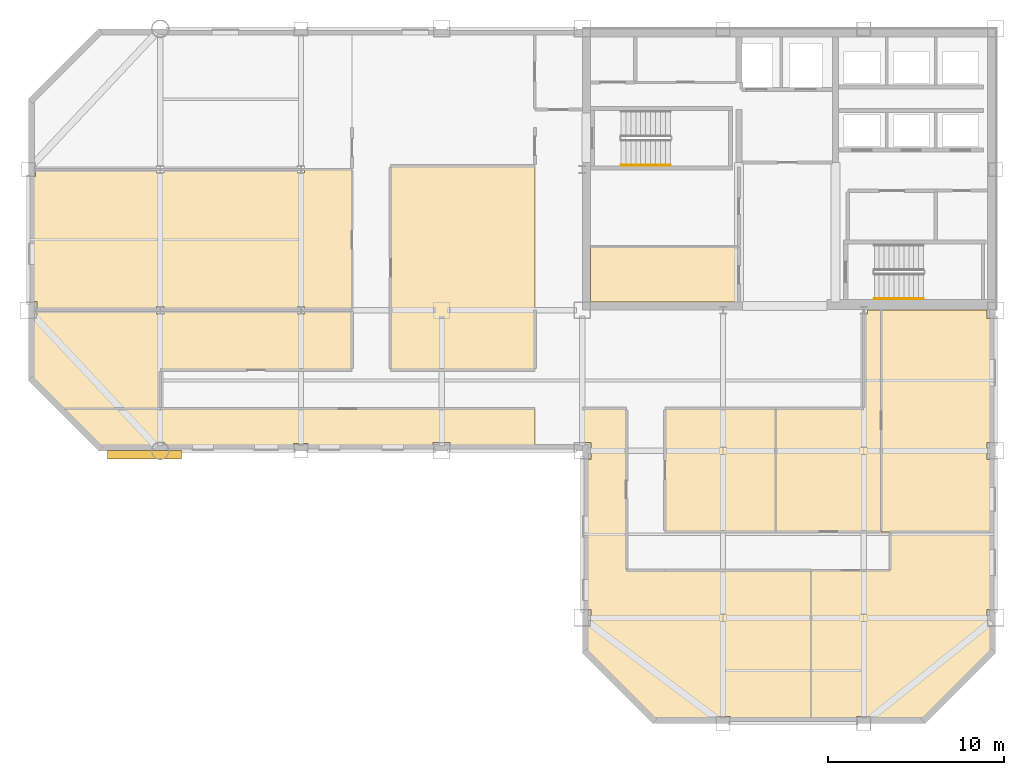
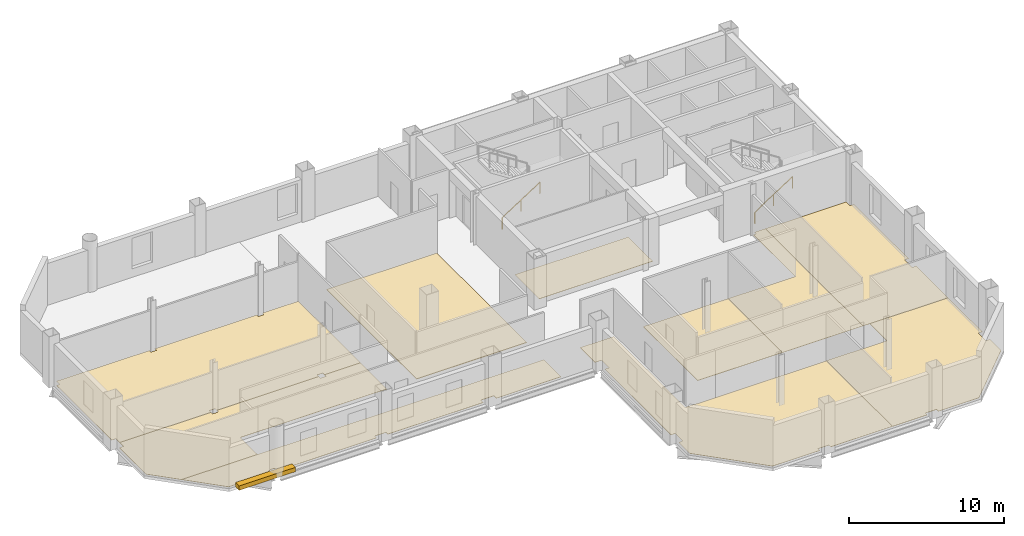
# One storey, part 7 of 10: 10 coverings, 2 railings, 1 shading device.
"""IFC4 building model written with IfcOpenShell, lengths in metres."""

from ifc_helpers import new_model, si_unit, direction, frame, origin, origin_2d, place, context, subcontext, project, spatial, polyline, rectangle, circle, outline, extrude, material, layer, layer_set, type_object, element, save


model = new_model("IFC4")

# Units and contexts
model_context = context("Model", 3, precision=1e-05, world=origin(), true_north=direction((0.0, 1.0)))
body_context = subcontext(model_context, "Body", "Model", "MODEL_VIEW")
ifc_project = project(units=[si_unit("LENGTHUNIT", "METRE"), si_unit("AREAUNIT", "SQUARE_METRE"), si_unit("VOLUMEUNIT", "CUBIC_METRE"), si_unit("PLANEANGLEUNIT", "RADIAN"), si_unit("MASSUNIT", "GRAM", prefix="KILO")], contexts=[model_context])

# Site, building, storey
site_placement = place(None, origin())
site = spatial("IfcSite", under=ifc_project, at=site_placement, CompositionType="ELEMENT")
building_placement = place(site_placement, origin())
building = spatial("IfcBuilding", under=site, at=building_placement, Name="Qianrong Seaharbour Tower", CompositionType="ELEMENT")
storey_placement = place(building_placement, frame((0.0, 0.0, 245.800048828125)))
storey = spatial("IfcBuildingStorey", under=building, at=storey_placement, Name="L59", CompositionType="ELEMENT", Elevation=245.800048828125)

# Coverings
ifc_material_1 = material(Name="Acoustic modular carpet tile flooring")
ifc_layer_1 = layer(ifc_material_1, 0.02001953125)
ifc_layer_set_1 = layer_set([ifc_layer_1], Name="Acoustic modular carpet tile flooring")
covering_type_1 = type_object("IfcCoveringType", Name="COV-FLOOR-CARPET-20", PredefinedType="FLOORING", material=ifc_layer_set_1)
covering_1_placement = place(storey_placement, origin())
element("IfcCovering", 1, at=covering_1_placement, inside=storey, type_object=covering_type_1, Name="L59 Wellness Room Finish Flooring", PredefinedType="FLOORING", context=body_context, shape_type="SweptSolid", body=[
    extrude(outline(polyline([(49.39990234375, 39.60009765625), (49.39990234375, 36.4599609375), (40.985107421875, 36.4599609375), (40.985107421875, 36.485107421875), (40.9599609375, 36.485107421875), (40.9599609375, 39.60009765625), (49.39990234375, 39.60009765625)])), origin(), (0.0, 0.0, 1.0), 0.02001953125),
])
covering_2_placement = place(storey_placement, origin())
element("IfcCovering", 2, at=covering_2_placement, inside=storey, type_object=covering_type_1, Name="L59 Harbour Sunset Lounge 1 Finish Flooring", PredefinedType="FLOORING", context=body_context, shape_type="SweptSolid", body=[
    extrude(outline(polyline([(16.5, 32.60009765625), (16.5, 30.39990234375), (10.847412109375, 30.39990234375), (9.175048828125, 32.072509765625), (9.175048828125, 35.514892578125), (9.485107421875, 35.514892578125), (9.485107421875, 36.0), (16.2900390625, 36.0), (16.2900390625, 35.7900390625), (16.7099609375, 35.7900390625), (16.7099609375, 36.0), (24.2900390625, 36.0), (24.2900390625, 35.7900390625), (24.7099609375, 35.7900390625), (24.7099609375, 36.0), (27.39990234375, 36.0), (27.39990234375, 32.60009765625), (16.5, 32.60009765625)])), origin(), (0.0, 0.0, 1.0), 0.02001953125),
])
covering_3_placement = place(storey_placement, origin())
element("IfcCovering", 3, at=covering_3_placement, inside=storey, type_object=covering_type_1, Name="L59 Barista Coffee Pantry 2 Finish Flooring", PredefinedType="FLOORING", context=body_context, shape_type="SweptSolid", body=[
    extrude(outline(polyline([(24.7099609375, 36.0), (24.7099609375, 36.2099609375), (24.2900390625, 36.2099609375), (24.2900390625, 36.0), (16.7099609375, 36.0), (16.7099609375, 36.2099609375), (16.2900390625, 36.2099609375), (16.2900390625, 36.0), (9.485107421875, 36.0), (9.485107421875, 36.485107421875), (9.175048828125, 36.485107421875), (9.175048828125, 43.590087890625), (9.409912109375, 43.590087890625), (9.409912109375, 44.0), (16.2900390625, 44.0), (16.2900390625, 43.7900390625), (16.7099609375, 43.7900390625), (16.7099609375, 44.0), (24.2900390625, 44.0), (24.2900390625, 43.7900390625), (24.7099609375, 43.7900390625), (24.7099609375, 44.0), (27.39990234375, 44.0), (27.39990234375, 36.0), (24.7099609375, 36.0)])), origin(), (0.0, 0.0, 1.0), 0.02001953125),
])
covering_4_placement = place(storey_placement, origin())
element("IfcCovering", 4, at=covering_4_placement, inside=storey, type_object=covering_type_1, Name="L59 Catering Servery Kitchen 2 Finish Flooring", PredefinedType="FLOORING", context=body_context, shape_type="SweptSolid", body=[
    extrude(outline(polyline([(56.5, 30.39990234375), (56.5, 35.7900390625), (56.7099609375, 35.7900390625), (56.7099609375, 36.0), (57.5, 36.0), (57.5, 23.39990234375), (51.5, 23.39990234375), (51.5, 30.39990234375), (56.5, 30.39990234375)])), origin(), (0.0, 0.0, 1.0), 0.02001953125),
])
covering_5_placement = place(storey_placement, origin())
element("IfcCovering", 5, at=covering_5_placement, inside=storey, type_object=covering_type_1, Name="L59 Staff Lounge 3 Finish Flooring", PredefinedType="FLOORING", context=body_context, shape_type="SweptSolid", body=[
    extrude(outline(polyline([(63.514892578125, 36.0), (63.514892578125, 35.514892578125), (63.824951171875, 35.514892578125), (63.824951171875, 28.485107421875), (63.514892578125, 28.485107421875), (63.514892578125, 27.514892578125), (63.824951171875, 27.514892578125), (63.824951171875, 23.39990234375), (57.5, 23.39990234375), (57.5, 36.0), (63.514892578125, 36.0)])), origin(), (0.0, 0.0, 1.0), 0.02001953125),
])
covering_6_placement = place(storey_placement, origin())
element("IfcCovering", 6, at=covering_6_placement, inside=storey, type_object=covering_type_1, Name="L59 Wet Pantry 1 Finish Flooring", PredefinedType="FLOORING", context=body_context, shape_type="SweptSolid", body=[
    extrude(outline(polyline([(32.985107421875, 28.175048828125), (32.985107421875, 28.485107421875), (32.014892578125, 28.485107421875), (32.014892578125, 28.175048828125), (24.909912109375, 28.175048828125), (24.909912109375, 28.409912109375), (24.090087890625, 28.409912109375), (24.090087890625, 28.175048828125), (16.977294921875, 28.175048828125), (16.97119140625, 28.1953125), (16.924072265625, 28.283203125), (16.860595703125, 28.360595703125), (16.783203125, 28.424072265625), (16.6953125, 28.47119140625), (16.599609375, 28.500244140625), (16.5, 28.510009765625), (16.400390625, 28.500244140625), (16.3046875, 28.47119140625), (16.216796875, 28.424072265625), (16.139404296875, 28.360595703125), (16.075927734375, 28.283203125), (16.02880859375, 28.1953125), (16.022705078125, 28.175048828125), (13.072509765625, 28.175048828125), (10.847412109375, 30.39990234375), (37.800048828125, 30.39990234375), (37.800048828125, 28.175048828125), (32.985107421875, 28.175048828125)])), origin(), (0.0, 0.0, 1.0), 0.02001953125),
])
covering_7_placement = place(storey_placement, origin())
element("IfcCovering", 7, at=covering_7_placement, inside=storey, type_object=covering_type_1, Name="L59 South View Lounge 1 Finish Flooring", PredefinedType="FLOORING", context=body_context, shape_type="SweptSolid", body=[
    extrude(outline(polyline([(43.0, 21.199951171875), (53.5, 21.199951171875), (53.5, 12.675048828125), (48.909912109375, 12.675048828125), (48.909912109375, 12.909912109375), (48.090087890625, 12.909912109375), (48.090087890625, 12.675048828125), (44.572509765625, 12.675048828125), (40.675048828125, 16.572509765625), (40.675048828125, 18.014892578125), (40.985107421875, 18.014892578125), (40.985107421875, 18.985107421875), (40.675048828125, 18.985107421875), (40.675048828125, 27.514892578125), (40.985107421875, 27.514892578125), (40.985107421875, 28.485107421875), (40.5, 28.485107421875), (40.5, 30.39990234375), (43.0, 30.39990234375), (43.0, 21.199951171875)])), origin(), (0.0, 0.0, 1.0), 0.02001953125),
])
covering_8_placement = place(storey_placement, origin())
element("IfcCovering", 8, at=covering_8_placement, inside=storey, type_object=covering_type_1, Name="L59 Tea Servery Pantry 2 Finish Flooring", PredefinedType="FLOORING", context=body_context, shape_type="SweptSolid", body=[
    extrude(outline(polyline([(59.927490234375, 12.675048828125), (56.909912109375, 12.675048828125), (56.909912109375, 12.909912109375), (56.090087890625, 12.909912109375), (56.090087890625, 12.675048828125), (53.5, 12.675048828125), (53.5, 21.199951171875), (58.0, 21.199951171875), (58.0, 23.39990234375), (63.824951171875, 23.39990234375), (63.824951171875, 18.985107421875), (63.514892578125, 18.985107421875), (63.514892578125, 18.014892578125), (63.824951171875, 18.014892578125), (63.824951171875, 16.572509765625), (59.927490234375, 12.675048828125)])), origin(), (0.0, 0.0, 1.0), 0.02001953125),
])
ifc_material_2 = material(Name="Honed granite stone flooring", Category="masonry")
ifc_layer_2 = layer(ifc_material_2, 0.030029296875)
ifc_layer_set_2 = layer_set([ifc_layer_2], Name="Honed granite stone flooring")
covering_type_2 = type_object("IfcCoveringType", Name="COV-FLOOR-GRANITE-30", PredefinedType="FLOORING", material=ifc_layer_set_2)
covering_9_placement = place(storey_placement, origin())
element("IfcCovering", 9, at=covering_9_placement, inside=storey, type_object=covering_type_2, Name="L59 East Harbour Dining Salon 1 Finish Flooring", PredefinedType="FLOORING", context=body_context, shape_type="SweptSolid", body=[
    extrude(outline(polyline([(51.5, 30.39990234375), (51.5, 23.39990234375), (45.199951171875, 23.39990234375), (45.199951171875, 30.39990234375), (51.5, 30.39990234375)])), origin(), (0.0, 0.0, 1.0), 0.030029296875),
])
ifc_material_3 = material(Name="Calcium-sulphate raised access floor tile")
ifc_layer_3 = layer(ifc_material_3, 0.044921875)
ifc_layer_set_3 = layer_set([ifc_layer_3], Name="Calcium-sulphate raised access floor tile")
covering_type_3 = type_object("IfcCoveringType", Name="COV-FLOOR-RAISED-45", PredefinedType="FLOORING", material=ifc_layer_set_3)
covering_10_placement = place(storey_placement, origin())
element("IfcCovering", 10, at=covering_10_placement, inside=storey, type_object=covering_type_3, Name="L59 East Wing Open-Plan Office Finish Flooring", PredefinedType="FLOORING", context=body_context, shape_type="SweptSolid", body=[
    extrude(outline(polyline([(29.60009765625, 44.199951171875), (37.800048828125, 44.199951171875), (37.800048828125, 32.60009765625), (29.60009765625, 32.60009765625), (29.60009765625, 44.199951171875)])), origin(), (0.0, 0.0, 1.0), 0.044921875),
])

# Railings
ifc_material_4 = material(Name="Stainless steel SUS316L continuous handrail", Category="steel")
railing_type = type_object("IfcRailingType", Name="RAIL-STAIR-HANDRAIL-900", PredefinedType="HANDRAIL", material=ifc_material_4)
railing_1_placement = place(storey_placement, frame((42.699951171875, 44.25, 0.181884765625)))
element("IfcRailing", 11, at=railing_1_placement, inside=storey, type_object=railing_type, Name="L59 ST-1 stair handrail 1", PredefinedType="HANDRAIL", context=body_context, shape_type="SweptSolid", body=[
    extrude(circle(Radius=0.02392578125, at=origin_2d()), frame((0.0, 0.0, 0.8759765625), z_axis=(0.838705829183, 0.0, 0.544584733623), x_axis=(0.0, 1.0, 0.0)), (0.0, 0.0, 1.0), 3.338623046875),
    extrude(circle(Radius=0.02099609375, at=origin_2d()), origin(), (0.0, 0.0, 1.0), 0.851806640625),
    extrude(circle(Radius=0.02099609375, at=origin_2d()), frame((1.39990234375, 0.0, 0.9091796875)), (0.0, 0.0, 1.0), 0.851806640625),
    extrude(circle(Radius=0.02099609375, at=origin_2d()), frame((2.800048828125, 0.0, 1.818115234375)), (0.0, 0.0, 1.0), 0.851806640625),
])
railing_2_placement = place(storey_placement, frame((57.10009765625, 36.64990234375, 0.181884765625)))
element("IfcRailing", 12, at=railing_2_placement, inside=storey, type_object=railing_type, Name="L59 ST-2 stair handrail 1", PredefinedType="HANDRAIL", context=body_context, shape_type="SweptSolid", body=[
    extrude(circle(Radius=0.02392578125, at=origin_2d()), frame((0.0, 0.0, 0.8759765625), z_axis=(0.83868413941, 0.0, 0.544618136222), x_axis=(0.0, 1.0, 0.0)), (0.0, 0.0, 1.0), 3.33837890625),
    extrude(circle(Radius=0.02099609375, at=origin_2d()), origin(), (0.0, 0.0, 1.0), 0.851806640625),
    extrude(circle(Radius=0.02099609375, at=origin_2d()), frame((1.39990234375, 0.0, 0.9091796875)), (0.0, 0.0, 1.0), 0.851806640625),
    extrude(circle(Radius=0.02099609375, at=origin_2d()), frame((2.7998046875, 0.0, 1.818115234375)), (0.0, 0.0, 1.0), 0.851806640625),
])

# Shading device
ifc_material_5 = material(Name="White architectural precast concrete C45/55", Category="concrete")
shading_device_type = type_object("IfcShadingDeviceType", Name="SHD-SUNSHADE-WHITE-320", PredefinedType="AWNING", material=ifc_material_5)
shading_device_placement = place(storey_placement, frame((15.60009765625, 27.780029296875, -0.02001953125), z_axis=(0.0, 0.0, 1.0), x_axis=(1.0, 0.0, 0.0)))
element("IfcShadingDevice", 13, at=shading_device_placement, inside=storey, type_object=shading_device_type, Name="L59 Climbing White Precast Ribbon Canopy Fin", PredefinedType="AWNING", context=body_context, shape_type="SweptSolid", body=[
    extrude(rectangle(XDim=4.199951171875, YDim=0.4599609375, at=origin_2d()), origin(), (0.0, 0.0, 1.0), 0.340087890625),
])

save(model, "model.ifc")
